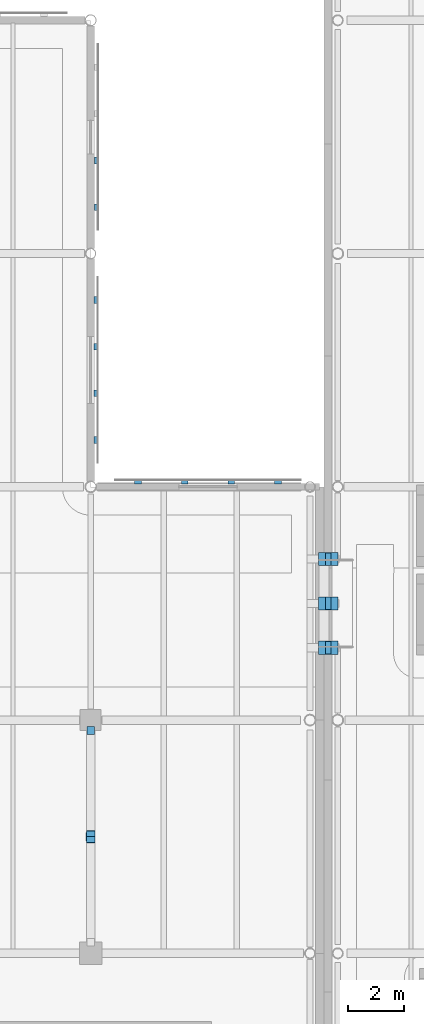
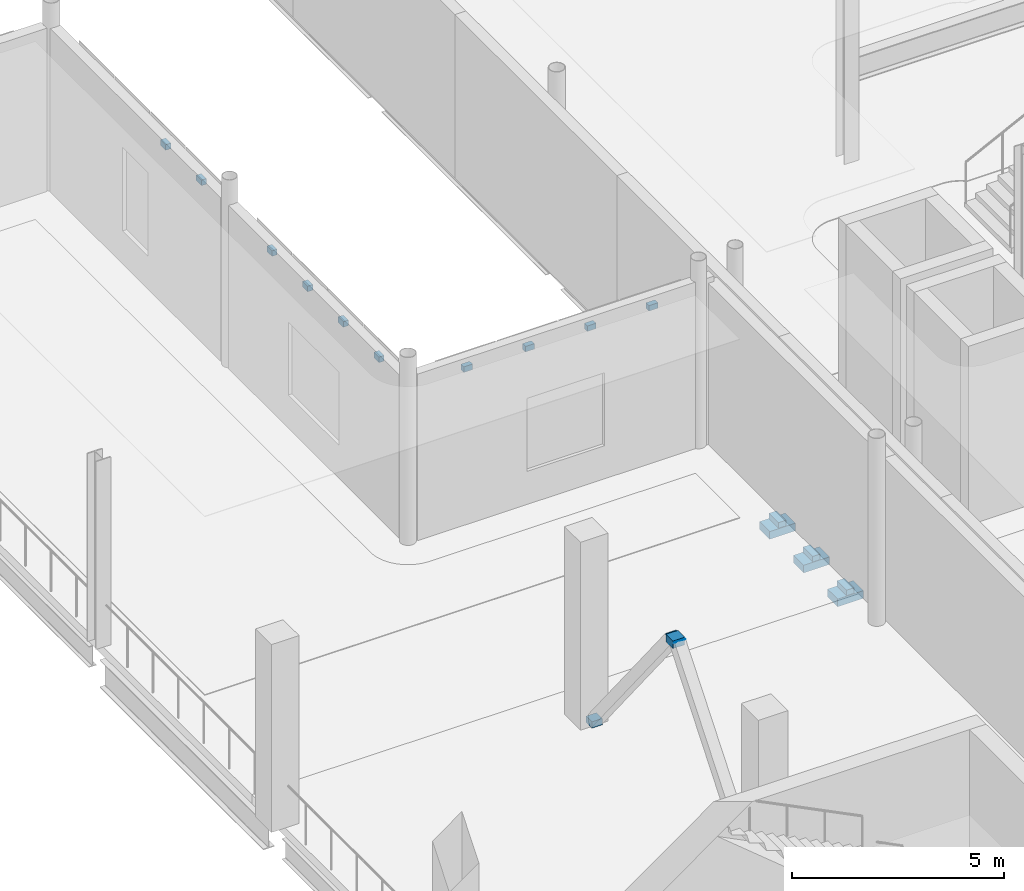
# One storey, part 80 of 110: 20 discrete accessories.
"""IFC4 building model written with IfcOpenShell, lengths in metres."""

from ifc_helpers import new_model, si_unit, direction, frame, origin, origin_2d, place, context, subcontext, project, spatial, rectangle, extrude, material, type_object, element, save


model = new_model("IFC4")

# Units and contexts
model_context = context("Model", 3, precision=1e-05, world=origin(), true_north=direction((0.0, 1.0)))
body_context = subcontext(model_context, "Body", "Model", "MODEL_VIEW")
ifc_project = project(units=[si_unit("LENGTHUNIT", "METRE"), si_unit("AREAUNIT", "SQUARE_METRE"), si_unit("VOLUMEUNIT", "CUBIC_METRE"), si_unit("PLANEANGLEUNIT", "RADIAN"), si_unit("MASSUNIT", "GRAM", prefix="KILO"), si_unit("THERMODYNAMICTEMPERATUREUNIT", "KELVIN")], contexts=[model_context])

# Site, building, storey
site_placement = place(None, origin())
site = spatial("IfcSite", under=ifc_project, at=site_placement, CompositionType="ELEMENT")
building_placement = place(site_placement, origin())
building = spatial("IfcBuilding", under=site, at=building_placement, Name="Lustrewick Department Store", CompositionType="ELEMENT")
storey_placement = place(building_placement, frame((0.0, 0.0, 6.0)))
storey = spatial("IfcBuildingStorey", under=building, at=storey_placement, Name="L02", CompositionType="ELEMENT", Elevation=6.0)

# Discrete accessories
ifc_material_1 = material(Name="Anodized filigree aluminium 6061-T6", Category="aluminium")
discrete_accessory_type_1 = type_object("IfcDiscreteAccessoryType", Name="BRK-FIL", PredefinedType="BRACKET", material=ifc_material_1)
for number, where, z_axis, x_axis, name in (
    (1, (107.5439453125, 84.179931640625, 4.20703125), (0.0, 0.0, 1.0), (-1.0, 0.0, 0.0), "L02 Filigree Stand-Off Bracket 0105"),
    (2, (105.864013671875, 84.179931640625, 4.20703125), (0.0, 0.0, 1.0), (-1.0, 0.0, 0.0), "L02 Filigree Stand-Off Bracket 0106"),
    (3, (104.18408203125, 84.179931640625, 4.20703125), (0.0, 0.0, 1.0), (-1.0, 0.0, 0.0), "L02 Filigree Stand-Off Bracket 0107"),
    (4, (102.50390625, 84.179931640625, 4.20703125), (0.0, 0.0, 1.0), (-1.0, 0.0, 0.0), "L02 Filigree Stand-Off Bracket 0108"),
    (5, (100.989990234375, 85.687255859375, 4.1171875), (0.0, 0.0, 1.0), (0.0, 1.0, 0.0), "L02 Filigree Stand-Off Bracket 0109"),
    (6, (100.989990234375, 87.3671875, 4.1171875), (0.0, 0.0, 1.0), (0.0, 1.0, 0.0), "L02 Filigree Stand-Off Bracket 0110"),
    (7, (100.989990234375, 89.047119140625, 4.1171875), (0.0, 0.0, 1.0), (0.0, 1.0, 0.0), "L02 Filigree Stand-Off Bracket 0111"),
    (8, (100.989990234375, 90.727294921875, 4.1171875), (0.0, 0.0, 1.0), (0.0, 1.0, 0.0), "L02 Filigree Stand-Off Bracket 0112"),
    (9, (101.0, 94.07275390625, 4.1171875), (0.0, 0.0, 1.0), (0.0, 1.0, 0.0), "L02 Filigree Stand-Off Bracket 0113"),
    (10, (101.0, 95.752685546875, 4.1171875), (0.0, 0.0, 1.0), (0.0, 1.0, 0.0), "L02 Filigree Stand-Off Bracket 0114"),
):
    element("IfcDiscreteAccessory", number, at=place(storey_placement, frame(where, z_axis=z_axis, x_axis=x_axis)), inside=storey, type_object=discrete_accessory_type_1, Name=name, PredefinedType="BRACKET", context=body_context, shape_type="SweptSolid", body=[
        extrude(rectangle(XDim=0.239990234375, YDim=0.139892578125, at=origin_2d()), origin(), (0.0, 0.0, 1.0), 0.159912109375),
    ])
ifc_material_2 = material(Name="Structural steel Q355C", Category="steel")
discrete_accessory_type_2 = type_object("IfcDiscreteAccessoryType", Name="GUS-NODE", PredefinedType="BRACKET", material=ifc_material_2)
discrete_accessory_1_placement = place(storey_placement, frame((100.800048828125, 75.22509765625, 0.06005859375), z_axis=(0.0, 0.0, 1.0), x_axis=(1.0, 0.0, 0.0)))
element("IfcDiscreteAccessory", 11, at=discrete_accessory_1_placement, inside=storey, type_object=discrete_accessory_type_2, Name="L02 V2 Brace Base Gusset Plate", PredefinedType="BRACKET", context=body_context, shape_type="SweptSolid", body=[
    extrude(rectangle(XDim=0.280029296875, YDim=0.280029296875, at=origin_2d()), origin(), (0.0, 0.0, 1.0), 0.179931640625),
])
discrete_accessory_2_placement = place(storey_placement, frame((100.800048828125, 71.39990234375, 4.68505859375), z_axis=(0.0, 0.0, 1.0), x_axis=(1.0, 0.0, 0.0)))
element("IfcDiscreteAccessory", 12, at=discrete_accessory_2_placement, inside=storey, type_object=discrete_accessory_type_2, Name="L02 V2 Chevron Brace Apex Gusset Plate", PredefinedType="BRACKET", context=body_context, shape_type="SweptSolid", body=[
    extrude(rectangle(XDim=0.320068359375, YDim=0.320068359375, at=origin_2d()), origin(), (0.0, 0.0, 1.0), 0.219970703125),
])
discrete_accessory_type_3 = type_object("IfcDiscreteAccessoryType", Name="SB-CORBEL", PredefinedType="BRACKET", material=ifc_material_2)
for number, where, z_axis, x_axis, name in (
    (13, (109.35009765625, 78.199951171875, -1.11279296875), (0.0, 0.0, 1.0), (1.0, 0.0, 0.0), "L02 Skybridge SB24 700 mm Bearing Seat Corbel 1"),
    (14, (109.35009765625, 79.800048828125, -1.11279296875), (0.0, 0.0, 1.0), (1.0, 0.0, 0.0), "L02 Skybridge SB24 700 mm Bearing Seat Corbel 2"),
    (15, (109.35009765625, 81.39990234375, -1.11279296875), (0.0, 0.0, 1.0), (1.0, 0.0, 0.0), "L02 Skybridge SB24 700 mm Bearing Seat Corbel 3"),
):
    element("IfcDiscreteAccessory", number, at=place(storey_placement, frame(where, z_axis=z_axis, x_axis=x_axis)), inside=storey, type_object=discrete_accessory_type_3, Name=name, PredefinedType="BRACKET", context=body_context, shape_type="SweptSolid", body=[
        extrude(rectangle(XDim=0.699951171875, YDim=0.47998046875, at=origin_2d()), origin(), (0.0, 0.0, 1.0), 0.219970703125),
    ])
discrete_accessory_type_4 = type_object("IfcDiscreteAccessoryType", Name="SB-PTFE", PredefinedType="BRACKET", material=ifc_material_2)
for number, where, z_axis, x_axis, name in (
    (16, (109.35009765625, 78.199951171875, -0.89306640625), (0.0, 0.0, 1.0), (1.0, 0.0, 0.0), "L02 Skybridge SB24 PTFE Sliding Bearing 1"),
    (17, (109.35009765625, 79.800048828125, -0.89306640625), (0.0, 0.0, 1.0), (1.0, 0.0, 0.0), "L02 Skybridge SB24 PTFE Sliding Bearing 2"),
    (18, (109.35009765625, 81.39990234375, -0.89306640625), (0.0, 0.0, 1.0), (1.0, 0.0, 0.0), "L02 Skybridge SB24 PTFE Sliding Bearing 3"),
):
    element("IfcDiscreteAccessory", number, at=place(storey_placement, frame(where, z_axis=z_axis, x_axis=x_axis)), inside=storey, type_object=discrete_accessory_type_4, Name=name, PredefinedType="BRACKET", context=body_context, shape_type="SweptSolid", body=[
        extrude(rectangle(XDim=0.199951171875, YDim=0.449951171875, at=origin_2d()), origin(), (0.0, 0.0, 1.0), 0.159912109375),
    ])
discrete_accessory_type_5 = type_object("IfcDiscreteAccessoryType", Name="ECP-01", PredefinedType="USERDEFINED", material=ifc_material_2)
for number, where, z_axis, x_axis, name in (
    (19, (100.800048828125, 71.50390625, 4.7900390625), (0.0, -0.62562467383, 0.780124200045), (1.0, 0.0, 0.0), "L02 Welded Hollow-Section End-Cap Plate ECP-01"),
    (20, (100.800048828125, 71.29638671875, 4.790283203125), (0.0, 0.623044181837, 0.782186644912), (-1.0, 0.0, 0.0), "L02 Welded Hollow-Section End-Cap Plate ECP-01"),
):
    element("IfcDiscreteAccessory", number, at=place(storey_placement, frame(where, z_axis=z_axis, x_axis=x_axis)), inside=storey, type_object=discrete_accessory_type_5, Name=name, ObjectType="END_CAP_PLATE", PredefinedType="USERDEFINED", context=body_context, shape_type="SweptSolid", body=[
        extrude(rectangle(XDim=0.300048828125, YDim=0.300048828125, at=origin_2d()), origin(), (0.0, 0.0, 1.0), 0.01611328125),
    ])

save(model, "model.ifc")
